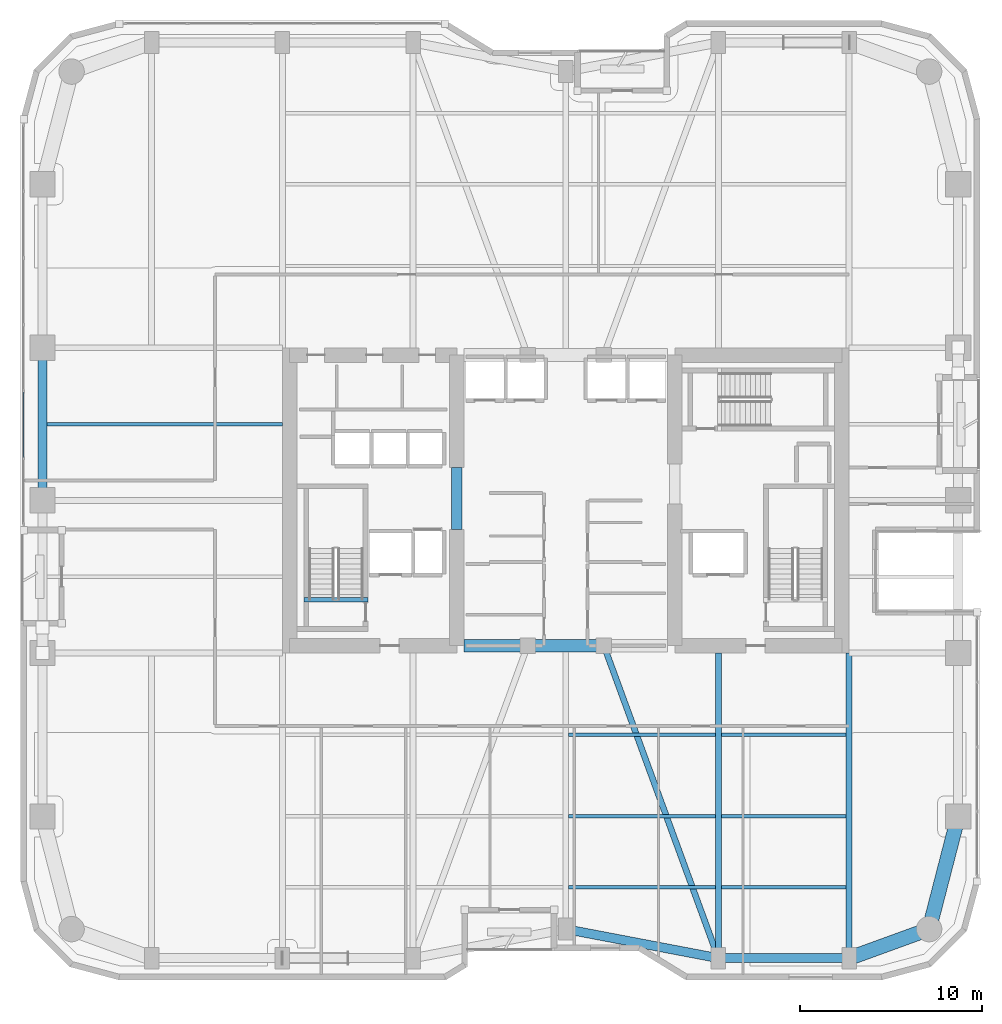
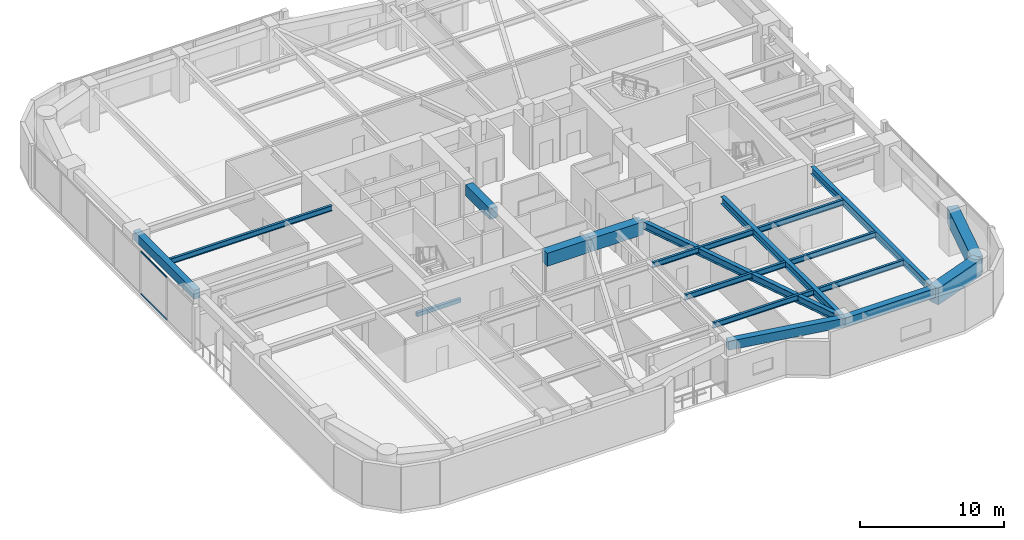
# One storey, part 3 of 24: 19 beams, 2 members, 1 element without a shape of its own.
"""IFC4 building model written with IfcOpenShell, lengths in metres."""

from ifc_helpers import new_model, si_unit, direction, frame, origin, origin_2d, place, context, subcontext, project, spatial, rectangle, hollow_rectangle, i_section, extrude, material, layer, layer_set, material_profile, profile_set, type_object, element, aggregate, save


model = new_model("IFC4")

# Units and contexts
model_context = context("Model", 3, precision=1e-05, world=origin(), true_north=direction((0.0, 1.0)))
body_context = subcontext(model_context, "Body", "Model", "MODEL_VIEW")
ifc_project = project(units=[si_unit("LENGTHUNIT", "METRE"), si_unit("AREAUNIT", "SQUARE_METRE"), si_unit("VOLUMEUNIT", "CUBIC_METRE"), si_unit("PLANEANGLEUNIT", "RADIAN"), si_unit("MASSUNIT", "GRAM", prefix="KILO")], contexts=[model_context])

# Site, building, storey
site_placement = place(None, origin())
site = spatial("IfcSite", under=ifc_project, at=site_placement, CompositionType="ELEMENT")
building_placement = place(site_placement, origin())
building = spatial("IfcBuilding", under=site, at=building_placement, Name="Kiyonajd Concourse Tower", CompositionType="ELEMENT")
storey_placement = place(building_placement, frame((0.0, 0.0, 129.89990234375)))
storey = spatial("IfcBuildingStorey", under=building, at=storey_placement, Name="L33", CompositionType="ELEMENT", Elevation=129.89990234375)

# Beams
ifc_material_1 = material(Name="Concrete C70/85", Category="concrete")
ifc_material_profile_1 = material_profile(ifc_material_1, rectangle(XDim=0.699951171875, YDim=1.10009765625, at=origin_2d()), Name="RCBM-700x1100")
ifc_profile_set_1 = profile_set([ifc_material_profile_1], Name="Concrete C70/85")
beam_type_1 = type_object("IfcBeamType", Name="BM-COUP-1100", PredefinedType="LINTEL", material=ifc_profile_set_1)
beam_1_placement = place(storey_placement, frame((42.39990234375, 28.0, 3.090087890625), z_axis=(1.0, 0.0, 0.0), x_axis=(0.0, 1.0, 0.0)))
element("IfcBeam", 1, at=beam_1_placement, inside=storey, type_object=beam_type_1, Name="L33 Core Coupling Beam S1", PredefinedType="LINTEL", context=body_context, shape_type="SweptSolid", body=[
    extrude(rectangle(XDim=0.699951171875, YDim=1.10009765625, at=origin_2d()), origin(), (0.0, 0.0, 1.0), 3.5),
])
beam_2_placement = place(storey_placement, frame((45.89990234375, 28.0, 3.090087890625), z_axis=(1.0, 0.0, 0.0), x_axis=(0.0, 1.0, 0.0)))
element("IfcBeam", 2, at=beam_2_placement, inside=storey, type_object=beam_type_1, Name="L33 Core Coupling Beam S2", PredefinedType="LINTEL", context=body_context, shape_type="SweptSolid", body=[
    extrude(rectangle(XDim=0.699951171875, YDim=1.10009765625, at=origin_2d()), origin(), (0.0, 0.0, 1.0), 4.2001953125),
])
ifc_material_2 = material(Name="Concrete C60/75", Category="concrete")
ifc_material_profile_2 = material_profile(ifc_material_2, rectangle(XDim=0.60009765625, YDim=0.89990234375, at=origin_2d()), Name="RCBM-600x900")
ifc_profile_set_2 = profile_set([ifc_material_profile_2], Name="Concrete C60/75")
beam_type_2 = type_object("IfcBeamType", Name="BM-COUP-900", PredefinedType="LINTEL", material=ifc_profile_set_2)
beam_3_placement = place(storey_placement, frame((42.0, 34.39990234375, 3.090087890625), z_axis=(0.0, 1.0, 0.0), x_axis=(-1.0, 0.0, 0.0)))
element("IfcBeam", 3, at=beam_3_placement, inside=storey, type_object=beam_type_2, Name="L33 West Core Throat Coupling Lintel", PredefinedType="LINTEL", context=body_context, shape_type="SweptSolid", body=[
    extrude(rectangle(XDim=0.60009765625, YDim=0.89990234375, at=origin_2d()), origin(), (0.0, 0.0, 1.0), 3.400146484375),
])
ifc_material_3 = material(Name="Steel ASTM A992 Grade 50", Category="steel")
ifc_material_profile_3 = material_profile(ifc_material_3, i_section(OverallWidth=0.19189453125, OverallDepth=0.462890625, WebThickness=0.010498046875, FlangeThickness=0.017578125, at=origin_2d()), Name="W460X89")
ifc_profile_set_3 = profile_set([ifc_material_profile_3], Name="Steel ASTM A992 Grade 50")
beam_type_3 = type_object("IfcBeamType", Name="BM-JST-460B", PredefinedType="JOIST", material=ifc_profile_set_3)
beam_4_placement = place(storey_placement, frame((48.16357421875, 14.699951171875, 3.40869140625), z_axis=(1.0, 0.0, 0.0), x_axis=(0.0, 1.0, 0.0)))
element("IfcBeam", 4, at=beam_4_placement, inside=storey, type_object=beam_type_3, Name="L33 Secondary Floor Joist", PredefinedType="JOIST", context=body_context, shape_type="SweptSolid", body=[
    extrude(i_section(OverallWidth=0.19189453125, OverallDepth=0.462890625, WebThickness=0.010498046875, FlangeThickness=0.017578125, at=origin_2d()), origin(), (0.0, 0.0, 1.0), 8.072998046875),
])
beam_5_placement = place(storey_placement, frame((56.5634765625, 14.699951171875, 3.40869140625), z_axis=(1.0, 0.0, 0.0), x_axis=(0.0, 1.0, 0.0)))
element("IfcBeam", 5, at=beam_5_placement, inside=storey, type_object=beam_type_3, Name="L33 Secondary Floor Joist", PredefinedType="JOIST", context=body_context, shape_type="SweptSolid", body=[
    extrude(i_section(OverallWidth=0.19189453125, OverallDepth=0.462890625, WebThickness=0.010498046875, FlangeThickness=0.017578125, at=origin_2d()), origin(), (0.0, 0.0, 1.0), 6.873046875),
])
beam_6_placement = place(storey_placement, frame((48.16357421875, 18.60009765625, 3.40869140625), z_axis=(1.0, 0.0, 0.0), x_axis=(0.0, 1.0, 0.0)))
element("IfcBeam", 6, at=beam_6_placement, inside=storey, type_object=beam_type_3, Name="L33 Secondary Floor Joist", PredefinedType="JOIST", context=body_context, shape_type="SweptSolid", body=[
    extrude(i_section(OverallWidth=0.19189453125, OverallDepth=0.462890625, WebThickness=0.010498046875, FlangeThickness=0.017578125, at=origin_2d()), origin(), (0.0, 0.0, 1.0), 8.072998046875),
])
beam_7_placement = place(storey_placement, frame((56.5634765625, 18.60009765625, 3.40869140625), z_axis=(1.0, 0.0, 0.0), x_axis=(0.0, 1.0, 0.0)))
element("IfcBeam", 7, at=beam_7_placement, inside=storey, type_object=beam_type_3, Name="L33 Secondary Floor Joist", PredefinedType="JOIST", context=body_context, shape_type="SweptSolid", body=[
    extrude(i_section(OverallWidth=0.19189453125, OverallDepth=0.462890625, WebThickness=0.010498046875, FlangeThickness=0.017578125, at=origin_2d()), origin(), (0.0, 0.0, 1.0), 6.873046875),
])
beam_8_placement = place(storey_placement, frame((48.16357421875, 23.10009765625, 3.40869140625), z_axis=(1.0, 0.0, 0.0), x_axis=(0.0, 1.0, 0.0)))
element("IfcBeam", 8, at=beam_8_placement, inside=storey, type_object=beam_type_3, Name="L33 Secondary Floor Joist", PredefinedType="JOIST", context=body_context, shape_type="SweptSolid", body=[
    extrude(i_section(OverallWidth=0.19189453125, OverallDepth=0.462890625, WebThickness=0.010498046875, FlangeThickness=0.017578125, at=origin_2d()), origin(), (0.0, 0.0, 1.0), 8.072998046875),
])
beam_9_placement = place(storey_placement, frame((56.5634765625, 23.10009765625, 3.40869140625), z_axis=(1.0, 0.0, 0.0), x_axis=(0.0, 1.0, 0.0)))
element("IfcBeam", 9, at=beam_9_placement, inside=storey, type_object=beam_type_3, Name="L33 Secondary Floor Joist", PredefinedType="JOIST", context=body_context, shape_type="SweptSolid", body=[
    extrude(i_section(OverallWidth=0.19189453125, OverallDepth=0.462890625, WebThickness=0.010498046875, FlangeThickness=0.017578125, at=origin_2d()), origin(), (0.0, 0.0, 1.0), 6.873046875),
])
beam_10_placement = place(storey_placement, frame((19.449951171875, 40.199951171875, 3.40869140625), z_axis=(1.0, 0.0, 0.0), x_axis=(0.0, 1.0, 0.0)))
element("IfcBeam", 10, at=beam_10_placement, inside=storey, type_object=beam_type_3, Name="L33 West Secondary Floor Joist", PredefinedType="JOIST", context=body_context, shape_type="SweptSolid", body=[
    extrude(i_section(OverallWidth=0.19189453125, OverallDepth=0.462890625, WebThickness=0.010498046875, FlangeThickness=0.017578125, at=origin_2d()), origin(), (0.0, 0.0, 1.0), 12.949951171875),
])
ifc_material_4 = material(Name="Concrete C50/60", Category="concrete")
ifc_material_profile_4 = material_profile(ifc_material_4, rectangle(XDim=0.239990234375, YDim=0.320068359375, at=origin_2d()), Name="RCBM-240x320")
ifc_profile_set_4 = profile_set([ifc_material_profile_4], Name="Concrete C50/60")
beam_type_4 = type_object("IfcBeamType", Name="BM-LNT-250", PredefinedType="LINTEL", material=ifc_profile_set_4)
beam_11_placement = place(storey_placement, frame((33.590087890625, 30.530029296875, -0.159912109375), z_axis=(1.0, 0.0, 0.0), x_axis=(0.0, 1.0, 0.0)))
element("IfcBeam", 11, at=beam_11_placement, inside=storey, type_object=beam_type_4, Name="L33 Stair ST1 Threshold Support Beam", PredefinedType="LINTEL", context=body_context, shape_type="SweptSolid", body=[
    extrude(rectangle(XDim=0.239990234375, YDim=0.320068359375, at=origin_2d()), origin(), (0.0, 0.0, 1.0), 3.52001953125),
])
ifc_material_5 = material(Name="Precast concrete C50/60", Category="concrete")
ifc_material_profile_5 = material_profile(ifc_material_5, rectangle(XDim=0.5, YDim=0.75, at=origin_2d()), Name="RCBM-500x750")
ifc_profile_set_5 = profile_set([ifc_material_profile_5], Name="Precast concrete C50/60")
beam_type_5 = type_object("IfcBeamType", Name="BM-SPAN-RC", PredefinedType="SPANDREL", material=ifc_profile_set_5)
beam_12_placement = place(storey_placement, frame((48.0, 12.39990234375, 3.26513671875), z_axis=(0.982341315253, -0.187097675953, 0.0), x_axis=(0.187097675953, 0.982341315253, 0.0)))
element("IfcBeam", 12, at=beam_12_placement, inside=storey, type_object=beam_type_5, Name="L33 Perimeter Bundled Tube Spandrel", PredefinedType="SPANDREL", context=body_context, shape_type="SweptSolid", body=[
    extrude(rectangle(XDim=0.5, YDim=0.75, at=origin_2d()), origin(), (0.0, 0.0, 1.0), 8.55078125),
])
beam_13_placement = place(storey_placement, frame((56.39990234375, 10.800048828125, 3.26513671875), z_axis=(1.0, 0.0, 0.0), x_axis=(0.0, 1.0, 0.0)))
element("IfcBeam", 13, at=beam_13_placement, inside=storey, type_object=beam_type_5, Name="L33 Perimeter Bundled Tube Spandrel", PredefinedType="SPANDREL", context=body_context, shape_type="SweptSolid", body=[
    extrude(rectangle(XDim=0.5, YDim=0.75, at=origin_2d()), origin(), (0.0, 0.0, 1.0), 7.2001953125),
])
beam_14_placement = place(storey_placement, frame((19.199951171875, 44.39990234375, 3.26513671875), z_axis=(0.0, -1.0, 0.0), x_axis=(1.0, 0.0, 0.0)))
element("IfcBeam", 14, at=beam_14_placement, inside=storey, type_object=beam_type_5, Name="L33 Perimeter Bundled Tube Spandrel", PredefinedType="SPANDREL", context=body_context, shape_type="SweptSolid", body=[
    extrude(rectangle(XDim=0.5, YDim=0.75, at=origin_2d()), origin(), (0.0, 0.0, 1.0), 8.39990234375),
])
ifc_material_profile_6 = material_profile(ifc_material_3, i_section(OverallWidth=0.326904296875, OverallDepth=0.6220703125, WebThickness=0.015380859375, FlangeThickness=0.0244140625, at=origin_2d()), Name="W610X195")
ifc_profile_set_6 = profile_set([ifc_material_profile_6], Name="Steel ASTM A992 Grade 50")
beam_type_6 = type_object("IfcBeamType", Name="BM-TWR-610A", PredefinedType="BEAM", material=ifc_profile_set_6)
beam_15_placement = place(storey_placement, frame((50.10009765625, 28.0, 3.3291015625), z_axis=(0.343925269715, -0.938997022813, 0.0), x_axis=(0.938997022813, 0.343925269715, 0.0)))
element("IfcBeam", 15, at=beam_15_placement, inside=storey, type_object=beam_type_6, Name="L33 Core Tie Girder", PredefinedType="BEAM", context=body_context, shape_type="SweptSolid", body=[
    extrude(i_section(OverallWidth=0.326904296875, OverallDepth=0.6220703125, WebThickness=0.015380859375, FlangeThickness=0.0244140625, at=origin_2d()), origin(), (0.0, 0.0, 1.0), 18.3173828125),
])
for number, where, z_axis, x_axis, name in (
    (16, (56.39990234375, 10.800048828125, 3.3291015625), (0.0, 1.0, 0.0), (-1.0, 0.0, 0.0), "L33 South Lease Girder"),
    (17, (63.60009765625, 10.800048828125, 3.3291015625), (0.0, 1.0, 0.0), (-1.0, 0.0, 0.0), "L33 South Lease Girder"),
):
    element("IfcBeam", number, at=place(storey_placement, frame(where, z_axis=z_axis, x_axis=x_axis)), inside=storey, type_object=beam_type_6, Name=name, PredefinedType="BEAM", context=body_context, shape_type="SweptSolid", body=[
        extrude(i_section(OverallWidth=0.326904296875, OverallDepth=0.6220703125, WebThickness=0.015380859375, FlangeThickness=0.0244140625, at=origin_2d()), origin(), (0.0, 0.0, 1.0), 16.800048828125),
    ])
ifc_material_profile_7 = material_profile(ifc_material_2, rectangle(XDim=0.800048828125, YDim=1.39990234375, at=origin_2d()), Name="RCBM-800x1400")
ifc_profile_set_7 = profile_set([ifc_material_profile_7], Name="Concrete C60/75")
beam_type_7 = type_object("IfcBeamType", Name="BM-XFER-RC", PredefinedType="BEAM", material=ifc_profile_set_7)
beam_16_placement = place(storey_placement, frame((63.60009765625, 10.800048828125, 2.940185546875), z_axis=(0.939801036019, 0.341722127901, 0.0), x_axis=(-0.341722127901, 0.939801036019, 0.0)))
element("IfcBeam", 18, at=beam_16_placement, inside=storey, type_object=beam_type_7, Name="L33 Perimeter Bundled Tube Spandrel", PredefinedType="BEAM", context=body_context, shape_type="SweptSolid", body=[
    extrude(rectangle(XDim=0.800048828125, YDim=1.39990234375, at=origin_2d()), origin(), (0.0, 0.0, 1.0), 4.681640625),
])
beam_17_placement = place(storey_placement, frame((68.0, 12.39990234375, 2.940185546875), z_axis=(0.249884937687, 0.968275538221, 0.0), x_axis=(-0.968275538221, 0.249884937687, 0.0)))
element("IfcBeam", 19, at=beam_17_placement, inside=storey, type_object=beam_type_7, Name="L33 Perimeter Bundled Tube Spandrel", PredefinedType="BEAM", context=body_context, shape_type="SweptSolid", body=[
    extrude(rectangle(XDim=0.800048828125, YDim=1.39990234375, at=origin_2d()), origin(), (0.0, 0.0, 1.0), 6.4033203125),
])

# Curtain wall, members
ifc_material_6 = material(Name="Thermally Broken Anodised Aluminium", Category="aluminium")
ifc_layer = layer(ifc_material_6, 0.179931640625)
ifc_layer_set = layer_set([ifc_layer], Name="Thermally Broken Anodised Aluminium")
curtain_wall_type = type_object("IfcCurtainWallType", Name="CW-SYS-03", PredefinedType="NOTDEFINED", material=ifc_layer_set)
curtain_wall_placement = place(storey_placement, origin())
curtain_wall = element("IfcCurtainWall", 20, at=curtain_wall_placement, inside=storey, type_object=curtain_wall_type, Name="L33 Unitised Curtain Wall CW3", PredefinedType="NOTDEFINED")
ifc_material_profile_8 = material_profile(ifc_material_6, hollow_rectangle(XDim=0.06494140625, YDim=0.139892578125, WallThickness=0.00390625, at=origin_2d()), Name="TRAN-65x140")
ifc_profile_set_8 = profile_set([ifc_material_profile_8], Name="Thermally Broken Anodised Aluminium")
member_type = type_object("IfcMemberType", Name="MB-CW-TRAN1", PredefinedType="USERDEFINED", material=ifc_profile_set_8)
member_1_placement = place(storey_placement, frame((18.159912109375, 38.355712890625, 0.03271484375), z_axis=(0.0, 1.0, 0.0), x_axis=(-1.0, 0.0, 0.0)))
member_1 = element("IfcMember", 21, at=member_1_placement, type_object=member_type, Name="CW3 transom 2.1", ObjectType="TRANSOM", PredefinedType="USERDEFINED", context=body_context, shape_type="SweptSolid", body=[
    extrude(hollow_rectangle(XDim=0.06494140625, YDim=0.139892578125, WallThickness=0.00390625, at=origin_2d()), origin(), (0.0, 0.0, 1.0), 3.608154296875),
])
member_2_placement = place(storey_placement, frame((18.159912109375, 38.355712890625, 3.607666015625), z_axis=(0.0, 1.0, 0.0), x_axis=(-1.0, 0.0, 0.0)))
member_2 = element("IfcMember", 22, at=member_2_placement, type_object=member_type, Name="CW3 transom 2.2", ObjectType="TRANSOM", PredefinedType="USERDEFINED", context=body_context, shape_type="SweptSolid", body=[
    extrude(hollow_rectangle(XDim=0.06494140625, YDim=0.139892578125, WallThickness=0.00390625, at=origin_2d()), origin(), (0.0, 0.0, 1.0), 3.608154296875),
])
aggregate(curtain_wall, [member_1, member_2])

save(model, "model.ifc")
